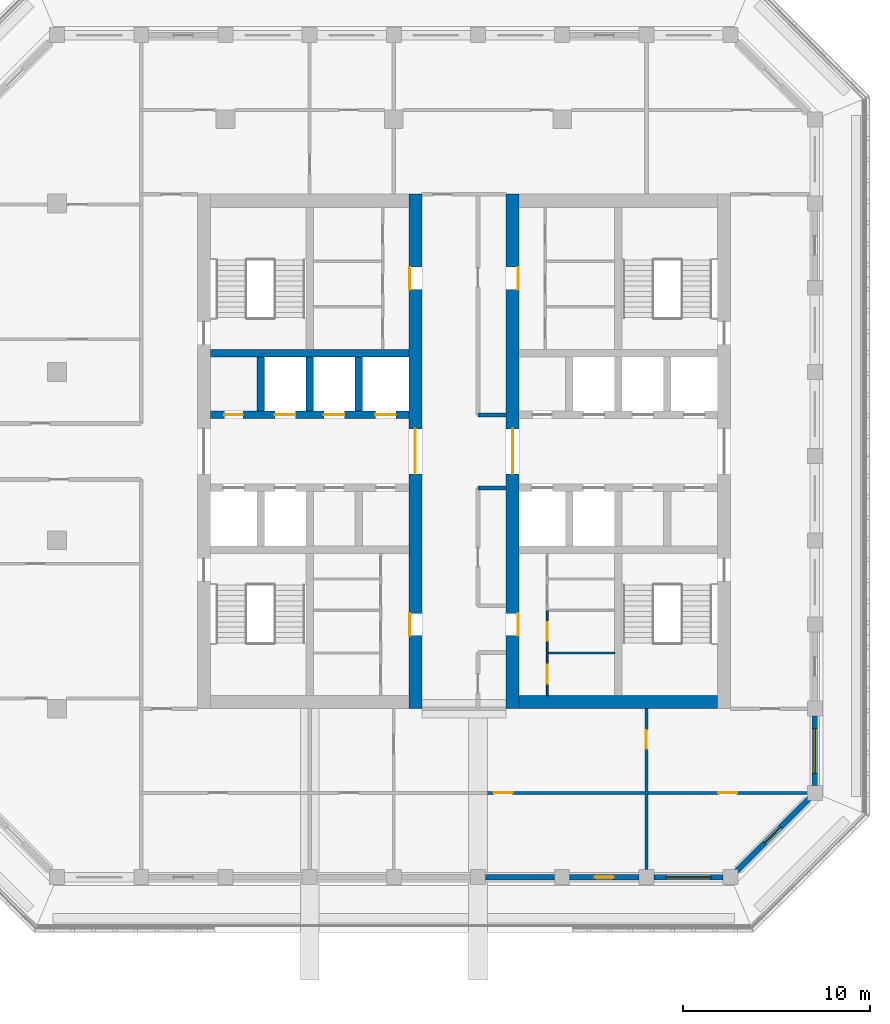
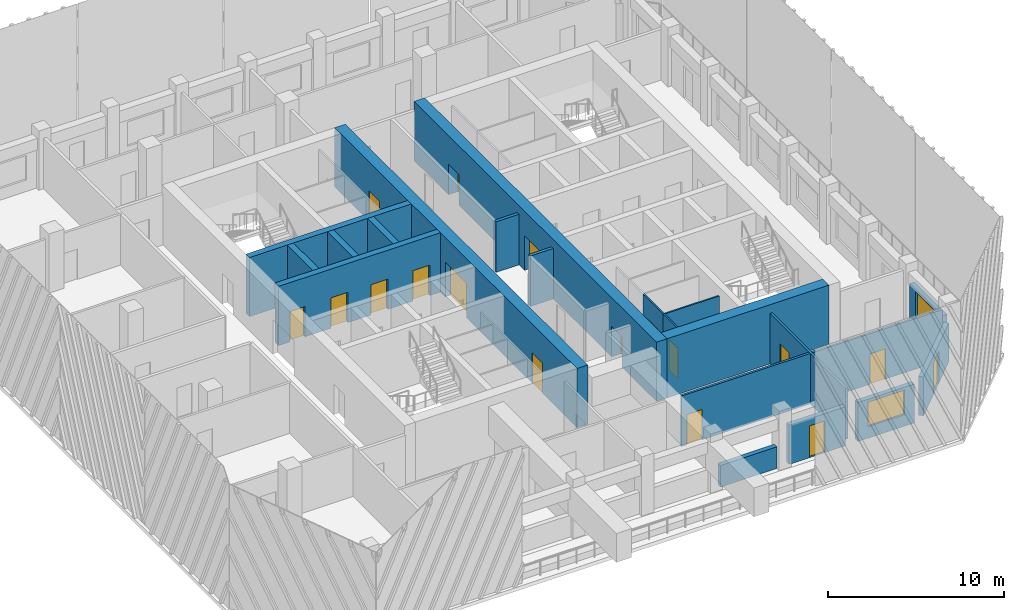
# One storey, part 4 of 16: 20 walls, 17 doors, 2 windows, 19 openings.
"""IFC4 building model written with IfcOpenShell, lengths in metres."""

from ifc_helpers import new_model, si_unit, direction, frame, frame_2d, origin, place, context, subcontext, project, spatial, rectangle, extrude, material, layer, layer_set, type_object, element, fill, save


model = new_model("IFC4")

# Units and contexts
model_context = context("Model", 3, precision=1e-05, world=origin(), true_north=direction((0.0, 1.0)))
body_context = subcontext(model_context, "Body", "Model", "MODEL_VIEW")
ifc_project = project(units=[si_unit("LENGTHUNIT", "METRE"), si_unit("AREAUNIT", "SQUARE_METRE"), si_unit("VOLUMEUNIT", "CUBIC_METRE"), si_unit("PLANEANGLEUNIT", "RADIAN"), si_unit("MASSUNIT", "GRAM", prefix="KILO")], contexts=[model_context])

# Site, building, storey
site_placement = place(None, origin())
site = spatial("IfcSite", under=ifc_project, at=site_placement, CompositionType="ELEMENT")
building_placement = place(site_placement, origin())
building = spatial("IfcBuilding", under=site, at=building_placement, Name="Corbel Stack Research Tower", CompositionType="ELEMENT")
storey_placement = place(building_placement, frame((0.0, 0.0, 290.89990234375)))
storey = spatial("IfcBuildingStorey", under=building, at=storey_placement, Name="L66", CompositionType="ELEMENT", Elevation=290.89990234375)

# Wall, openings, doors
ifc_material_1 = material(Name="Concrete C60/75", Category="concrete")
ifc_layer_1 = layer(ifc_material_1, 0.39990234375)
ifc_layer_set_1 = layer_set([ifc_layer_1], Name="Concrete C60/75")
wall_type_1 = type_object("IfcWallType", Name="CW-400-60", PredefinedType="SHEAR", material=ifc_layer_set_1)
wall_1_placement = place(storey_placement, frame((-9.800048828125, 6.699951171875, 0.0), z_axis=(0.0, 0.0, 1.0), x_axis=(1.0, 0.0, 0.0)))
wall_1 = element("IfcWall", 1, at=wall_1_placement, inside=storey, type_object=wall_type_1, Name="West core wall, lobby north L66", PredefinedType="SHEAR", context=body_context, shape_type="SweptSolid", body=[
    extrude(rectangle(XDim=10.60009765625, YDim=0.39990234375, at=frame_2d((5.300048828125, 0.0))), origin(), (0.0, 0.0, 1.0), 4.10009765625),
])
opening_1_placement = place(wall_1_placement, frame((3.4375, 0.0, 0.0)))
opening_1 = element("IfcOpeningElement", 2, at=opening_1_placement, cuts=wall_1, Name="Opening LD-HR1", PredefinedType="OPENING", context=body_context, shape_type="SweptSolid", body=[
    extrude(rectangle(XDim=1.10009765625, YDim=2.10009765625, at=frame_2d((0.550048828125, 1.050048828125))), frame((0.0, 0.2099609375, 0.0), z_axis=(0.0, -1.0, 0.0), x_axis=(1.0, 0.0, 0.0)), (0.0, 0.0, 1.0), 0.419921875),
])
opening_2_placement = place(wall_1_placement, frame((6.0625, 0.0, 0.0)))
opening_2 = element("IfcOpeningElement", 3, at=opening_2_placement, cuts=wall_1, Name="Opening LD-HR2", PredefinedType="OPENING", context=body_context, shape_type="SweptSolid", body=[
    extrude(rectangle(XDim=1.10009765625, YDim=2.10009765625, at=frame_2d((0.550048828125, 1.050048828125))), frame((0.0, 0.2099609375, 0.0), z_axis=(0.0, -1.0, 0.0), x_axis=(1.0, 0.0, 0.0)), (0.0, 0.0, 1.0), 0.419921875),
])
opening_3_placement = place(wall_1_placement, frame((8.8125, 0.0, 0.0)))
opening_3 = element("IfcOpeningElement", 4, at=opening_3_placement, cuts=wall_1, Name="Opening LD-HR3", PredefinedType="OPENING", context=body_context, shape_type="SweptSolid", body=[
    extrude(rectangle(XDim=1.10009765625, YDim=2.10009765625, at=frame_2d((0.550048828125, 1.050048828125))), frame((0.0, 0.2099609375, 0.0), z_axis=(0.0, -1.0, 0.0), x_axis=(1.0, 0.0, 0.0)), (0.0, 0.0, 1.0), 0.419921875),
])
opening_4_placement = place(wall_1_placement, frame((0.737548828125, 0.0, 0.0)))
opening_4 = element("IfcOpeningElement", 5, at=opening_4_placement, cuts=wall_1, Name="Opening CR-W42-N1", PredefinedType="OPENING", context=body_context, shape_type="SweptSolid", body=[
    extrude(rectangle(XDim=1.0, YDim=2.10009765625, at=frame_2d((0.5, 1.050048828125))), frame((0.0, 0.2099609375, 0.0), z_axis=(0.0, -1.0, 0.0), x_axis=(1.0, 0.0, 0.0)), (0.0, 0.0, 1.0), 0.419921875),
])
ifc_material_2 = material(Name="Stainless steel landing door", Category="steel")
door_type_1 = type_object("IfcDoorType", Name="Lift landing door 1100 x 2100", OperationType="DOUBLE_DOOR_SLIDING", PredefinedType="DOOR", material=ifc_material_2)
door_1_placement = place(opening_1_placement, origin())
door_1 = element("IfcDoor", 6, at=door_1_placement, inside=storey, type_object=door_type_1, Name="Landing door HR1", OperationType="DOUBLE_DOOR_SLIDING", OverallHeight=2.10009765625, OverallWidth=1.10009765625, PredefinedType="DOOR", context=body_context, shape_type="SweptSolid", body=[
    extrude(rectangle(XDim=1.10009765625, YDim=2.10009765625, at=frame_2d((0.550048828125, 1.050048828125))), frame((0.0, 0.02490234375, 0.0), z_axis=(0.0, -1.0, 0.0), x_axis=(1.0, 0.0, 0.0)), (0.0, 0.0, 1.0), 0.050048828125),
])
fill(opening_1, door_1)
door_2_placement = place(opening_2_placement, origin())
door_2 = element("IfcDoor", 7, at=door_2_placement, inside=storey, type_object=door_type_1, Name="Landing door HR2", OperationType="DOUBLE_DOOR_SLIDING", OverallHeight=2.10009765625, OverallWidth=1.10009765625, PredefinedType="DOOR", context=body_context, shape_type="SweptSolid", body=[
    extrude(rectangle(XDim=1.10009765625, YDim=2.10009765625, at=frame_2d((0.550048828125, 1.050048828125))), frame((0.0, 0.02490234375, 0.0), z_axis=(0.0, -1.0, 0.0), x_axis=(1.0, 0.0, 0.0)), (0.0, 0.0, 1.0), 0.050048828125),
])
fill(opening_2, door_2)
door_3_placement = place(opening_3_placement, origin())
door_3 = element("IfcDoor", 8, at=door_3_placement, inside=storey, type_object=door_type_1, Name="Landing door HR3", OperationType="DOUBLE_DOOR_SLIDING", OverallHeight=2.10009765625, OverallWidth=1.10009765625, PredefinedType="DOOR", context=body_context, shape_type="SweptSolid", body=[
    extrude(rectangle(XDim=1.10009765625, YDim=2.10009765625, at=frame_2d((0.550048828125, 1.050048828125))), frame((0.0, 0.02490234375, 0.0), z_axis=(0.0, -1.0, 0.0), x_axis=(1.0, 0.0, 0.0)), (0.0, 0.0, 1.0), 0.050048828125),
])
fill(opening_3, door_3)
ifc_material_3 = material(Name="Painted steel door", Category="steel")
door_type_2 = type_object("IfcDoorType", Name="Service door 1000 x 2100 FD60 left hand", OperationType="SINGLE_SWING_LEFT", PredefinedType="DOOR", material=ifc_material_3)
door_4_placement = place(opening_4_placement, origin())
door_4 = element("IfcDoor", 9, at=door_4_placement, inside=storey, type_object=door_type_2, Name="Vending bay door W core", OperationType="SINGLE_SWING_LEFT", OverallHeight=2.10009765625, OverallWidth=1.0, PredefinedType="DOOR", context=body_context, shape_type="SweptSolid", body=[
    extrude(rectangle(XDim=1.0, YDim=2.10009765625, at=frame_2d((0.5, 1.050048828125))), frame((0.0, 0.02490234375, 0.0), z_axis=(0.0, -1.0, 0.0), x_axis=(1.0, 0.0, 0.0)), (0.0, 0.0, 1.0), 0.050048828125),
])
fill(opening_4, door_4)

# Walls
wall_2_placement = place(storey_placement, frame((-9.800048828125, 10.0, 0.0), z_axis=(0.0, 0.0, 1.0), x_axis=(1.0, 0.0, 0.0)))
element("IfcWall", 10, at=wall_2_placement, inside=storey, type_object=wall_type_1, Name="West core wall, north row back L66", PredefinedType="SHEAR", context=body_context, shape_type="SweptSolid", body=[
    extrude(rectangle(XDim=10.60009765625, YDim=0.39990234375, at=frame_2d((5.300048828125, 0.0))), origin(), (0.0, 0.0, 1.0), 4.10009765625),
])
for number, where, z_axis, x_axis, name in (
    (11, (-7.125, 6.89990234375, 0.0), (0.0, 0.0, 1.0), (0.0, 1.0, 0.0), "West core wall, north shaft 1 L66"),
    (12, (-4.5, 6.89990234375, 0.0), (0.0, 0.0, 1.0), (0.0, 1.0, 0.0), "West core wall, north shaft 2 L66"),
    (13, (-1.875, 6.89990234375, 0.0), (0.0, 0.0, 1.0), (0.0, 1.0, 0.0), "West core wall, north shaft 3 L66"),
):
    element("IfcWall", number, at=place(storey_placement, frame(where, z_axis=z_axis, x_axis=x_axis)), inside=storey, type_object=wall_type_1, Name=name, PredefinedType="SHEAR", context=body_context, shape_type="SweptSolid", body=[
        extrude(rectangle(XDim=2.900146484375, YDim=0.39990234375, at=frame_2d((1.4501953125, 0.0))), origin(), (0.0, 0.0, 1.0), 4.10009765625),
    ])

# Wall, openings, doors
ifc_material_4 = material(Name="Concrete C60/75", Category="concrete")
ifc_layer_2 = layer(ifc_material_4, 0.699951171875)
ifc_layer_set_2 = layer_set([ifc_layer_2], Name="Concrete C60/75")
wall_type_2 = type_object("IfcWallType", Name="CW-700-60", PredefinedType="SHEAR", material=ifc_layer_set_2)
wall_3_placement = place(storey_placement, frame((1.14990234375, -9.0, 0.0), z_axis=(0.0, 0.0, 1.0), x_axis=(0.0, 1.0, 0.0)))
wall_3 = element("IfcWall", 14, at=wall_3_placement, inside=storey, type_object=wall_type_2, Name="West core wall, east face L66", PredefinedType="SHEAR", context=body_context, shape_type="SweptSolid", body=[
    extrude(rectangle(XDim=27.5, YDim=0.699951171875, at=frame_2d((13.75, 0.0))), origin(), (0.0, 0.0, 1.0), 4.10009765625),
])
opening_5_placement = place(wall_3_placement, frame((12.550048828125, 0.0, 0.0)))
opening_5 = element("IfcOpeningElement", 15, at=opening_5_placement, cuts=wall_3, Name="Opening CD-W-E", PredefinedType="OPENING", context=body_context, shape_type="SweptSolid", body=[
    extrude(rectangle(XDim=2.39990234375, YDim=2.39990234375, at=frame_2d((1.199951171875, 1.199951171875))), frame((0.0, 0.35986328125, 0.0), z_axis=(0.0, -1.0, 0.0), x_axis=(1.0, 0.0, 0.0)), (0.0, 0.0, 1.0), 0.719970703125),
])
opening_6_placement = place(wall_3_placement, frame((3.89990234375, 0.0, 0.0)))
opening_6 = element("IfcOpeningElement", 16, at=opening_6_placement, cuts=wall_3, Name="Opening CR-W42-W1-1200", PredefinedType="OPENING", context=body_context, shape_type="SweptSolid", body=[
    extrude(rectangle(XDim=1.199951171875, YDim=2.10009765625, at=frame_2d((0.60009765625, 1.050048828125))), frame((0.0, 0.35986328125, 0.0), z_axis=(0.0, -1.0, 0.0), x_axis=(1.0, 0.0, 0.0)), (0.0, 0.0, 1.0), 0.719970703125),
])
opening_7_placement = place(wall_3_placement, frame((22.39990234375, 0.0, 0.0)))
opening_7 = element("IfcOpeningElement", 17, at=opening_7_placement, cuts=wall_3, Name="Opening CR-W42-R1-1200", PredefinedType="OPENING", context=body_context, shape_type="SweptSolid", body=[
    extrude(rectangle(XDim=1.199951171875, YDim=2.10009765625, at=frame_2d((0.60009765625, 1.050048828125))), frame((0.0, 0.35986328125, 0.0), z_axis=(0.0, -1.0, 0.0), x_axis=(1.0, 0.0, 0.0)), (0.0, 0.0, 1.0), 0.719970703125),
])
ifc_material_5 = material(Name="Painted steel fire door", Category="steel")
door_type_3 = type_object("IfcDoorType", Name="Lobby door pair 2400 x 2400 FD30S", OperationType="DOUBLE_DOOR_DOUBLE_SWING", PredefinedType="DOOR", material=ifc_material_5)
door_5_placement = place(opening_5_placement, origin())
door_5 = element("IfcDoor", 18, at=door_5_placement, inside=storey, type_object=door_type_3, Name="Lift lobby door W core E", OperationType="DOUBLE_DOOR_DOUBLE_SWING", OverallHeight=2.39990234375, OverallWidth=2.39990234375, PredefinedType="DOOR", context=body_context, shape_type="SweptSolid", body=[
    extrude(rectangle(XDim=2.39990234375, YDim=2.39990234375, at=frame_2d((1.199951171875, 1.199951171875))), frame((0.0, 0.02490234375, 0.0), z_axis=(0.0, -1.0, 0.0), x_axis=(1.0, 0.0, 0.0)), (0.0, 0.0, 1.0), 0.050048828125),
])
fill(opening_5, door_5)
ifc_material_6 = material(Name="Painted steel door", Category="steel")
door_type_4 = type_object("IfcDoorType", Name="Service door 1200 x 2100 FD30 left hand", OperationType="SINGLE_SWING_LEFT", PredefinedType="DOOR", material=ifc_material_6)
door_6_placement = place(opening_7_placement, origin())
door_6 = element("IfcDoor", 19, at=door_6_placement, inside=storey, type_object=door_type_4, Name="Service passage door W core", OperationType="SINGLE_SWING_LEFT", OverallHeight=2.10009765625, OverallWidth=1.199951171875, PredefinedType="DOOR", context=body_context, shape_type="SweptSolid", body=[
    extrude(rectangle(XDim=1.199951171875, YDim=2.10009765625, at=frame_2d((0.60009765625, 1.050048828125))), frame((0.0, 0.3251953125, 0.0), z_axis=(0.0, -1.0, 0.0), x_axis=(1.0, 0.0, 0.0)), (0.0, 0.0, 1.0), 0.050048828125),
])
fill(opening_7, door_6)
ifc_material_7 = material(Name="Painted timber door", Category="wood")
door_type_5 = type_object("IfcDoorType", Name="WC door 1200 x 2100 left hand", OperationType="SINGLE_SWING_LEFT", PredefinedType="DOOR", material=ifc_material_7)
door_7_placement = place(opening_6_placement, origin())
door_7 = element("IfcDoor", 20, at=door_7_placement, inside=storey, type_object=door_type_5, Name="WC lobby door W core", OperationType="SINGLE_SWING_LEFT", OverallHeight=2.10009765625, OverallWidth=1.199951171875, PredefinedType="DOOR", context=body_context, shape_type="SweptSolid", body=[
    extrude(rectangle(XDim=1.199951171875, YDim=2.10009765625, at=frame_2d((0.60009765625, 1.050048828125))), frame((0.0, 0.3251953125, 0.0), z_axis=(0.0, -1.0, 0.0), x_axis=(1.0, 0.0, 0.0)), (0.0, 0.0, 1.0), 0.050048828125),
])
fill(opening_6, door_7)

wall_4_placement = place(storey_placement, frame((6.35009765625, -9.0, 0.0), z_axis=(0.0, 0.0, 1.0), x_axis=(0.0, 1.0, 0.0)))
wall_4 = element("IfcWall", 21, at=wall_4_placement, inside=storey, type_object=wall_type_2, Name="East core wall, west face L66", PredefinedType="SHEAR", context=body_context, shape_type="SweptSolid", body=[
    extrude(rectangle(XDim=27.5, YDim=0.699951171875, at=frame_2d((13.75, 0.0))), origin(), (0.0, 0.0, 1.0), 4.10009765625),
])
opening_8_placement = place(wall_4_placement, frame((12.550048828125, 0.0, 0.0)))
opening_8 = element("IfcOpeningElement", 22, at=opening_8_placement, cuts=wall_4, Name="Opening CD-E-W", PredefinedType="OPENING", context=body_context, shape_type="SweptSolid", body=[
    extrude(rectangle(XDim=2.39990234375, YDim=2.39990234375, at=frame_2d((1.199951171875, 1.199951171875))), frame((0.0, 0.35986328125, 0.0), z_axis=(0.0, -1.0, 0.0), x_axis=(1.0, 0.0, 0.0)), (0.0, 0.0, 1.0), 0.719970703125),
])
opening_9_placement = place(wall_4_placement, frame((3.89990234375, 0.0, 0.0)))
opening_9 = element("IfcOpeningElement", 23, at=opening_9_placement, cuts=wall_4, Name="Opening CR-E42-W1-1200", PredefinedType="OPENING", context=body_context, shape_type="SweptSolid", body=[
    extrude(rectangle(XDim=1.199951171875, YDim=2.10009765625, at=frame_2d((0.60009765625, 1.050048828125))), frame((0.0, 0.35986328125, 0.0), z_axis=(0.0, -1.0, 0.0), x_axis=(1.0, 0.0, 0.0)), (0.0, 0.0, 1.0), 0.719970703125),
])
opening_10_placement = place(wall_4_placement, frame((22.39990234375, 0.0, 0.0)))
opening_10 = element("IfcOpeningElement", 24, at=opening_10_placement, cuts=wall_4, Name="Opening CR-E42-R1-1200", PredefinedType="OPENING", context=body_context, shape_type="SweptSolid", body=[
    extrude(rectangle(XDim=1.199951171875, YDim=2.10009765625, at=frame_2d((0.60009765625, 1.050048828125))), frame((0.0, 0.35986328125, 0.0), z_axis=(0.0, -1.0, 0.0), x_axis=(1.0, 0.0, 0.0)), (0.0, 0.0, 1.0), 0.719970703125),
])
door_8_placement = place(opening_8_placement, origin())
door_8 = element("IfcDoor", 25, at=door_8_placement, inside=storey, type_object=door_type_3, Name="Lift lobby door E core W", OperationType="DOUBLE_DOOR_DOUBLE_SWING", OverallHeight=2.39990234375, OverallWidth=2.39990234375, PredefinedType="DOOR", context=body_context, shape_type="SweptSolid", body=[
    extrude(rectangle(XDim=2.39990234375, YDim=2.39990234375, at=frame_2d((1.199951171875, 1.199951171875))), frame((0.0, 0.02490234375, 0.0), z_axis=(0.0, -1.0, 0.0), x_axis=(1.0, 0.0, 0.0)), (0.0, 0.0, 1.0), 0.050048828125),
])
fill(opening_8, door_8)
ifc_material_8 = material(Name="Painted steel door", Category="steel")
door_type_6 = type_object("IfcDoorType", Name="Service door 1200 x 2100 FD30 right hand", OperationType="SINGLE_SWING_RIGHT", PredefinedType="DOOR", material=ifc_material_8)
door_9_placement = place(opening_10_placement, origin())
door_9 = element("IfcDoor", 26, at=door_9_placement, inside=storey, type_object=door_type_6, Name="Service passage door E core", OperationType="SINGLE_SWING_RIGHT", OverallHeight=2.10009765625, OverallWidth=1.199951171875, PredefinedType="DOOR", context=body_context, shape_type="SweptSolid", body=[
    extrude(rectangle(XDim=1.199951171875, YDim=2.10009765625, at=frame_2d((0.60009765625, 1.050048828125))), frame((0.0, -0.27490234375, 0.0), z_axis=(0.0, -1.0, 0.0), x_axis=(1.0, 0.0, 0.0)), (0.0, 0.0, 1.0), 0.050048828125),
])
fill(opening_10, door_9)
ifc_material_9 = material(Name="Painted timber door", Category="wood")
door_type_7 = type_object("IfcDoorType", Name="WC door 1200 x 2100 right hand", OperationType="SINGLE_SWING_RIGHT", PredefinedType="DOOR", material=ifc_material_9)
door_10_placement = place(opening_9_placement, origin())
door_10 = element("IfcDoor", 27, at=door_10_placement, inside=storey, type_object=door_type_7, Name="WC lobby door E core", OperationType="SINGLE_SWING_RIGHT", OverallHeight=2.10009765625, OverallWidth=1.199951171875, PredefinedType="DOOR", context=body_context, shape_type="SweptSolid", body=[
    extrude(rectangle(XDim=1.199951171875, YDim=2.10009765625, at=frame_2d((0.60009765625, 1.050048828125))), frame((0.0, -0.27490234375, 0.0), z_axis=(0.0, -1.0, 0.0), x_axis=(1.0, 0.0, 0.0)), (0.0, 0.0, 1.0), 0.050048828125),
])
fill(opening_9, door_10)

# Wall
wall_5_placement = place(storey_placement, frame((6.699951171875, -8.64990234375, 0.0), z_axis=(0.0, 0.0, 1.0), x_axis=(1.0, 0.0, 0.0)))
element("IfcWall", 28, at=wall_5_placement, inside=storey, type_object=wall_type_2, Name="East core wall, south end L66", PredefinedType="SHEAR", context=body_context, shape_type="SweptSolid", body=[
    extrude(rectangle(XDim=10.60009765625, YDim=0.699951171875, at=frame_2d((5.300048828125, 0.0))), origin(), (0.0, 0.0, 1.0), 4.10009765625),
])

# Wall, opening, door
ifc_material_10 = material(Name="Gypsum board")
ifc_layer_3 = layer(ifc_material_10, 0.10009765625)
ifc_layer_set_3 = layer_set([ifc_layer_3], Name="Gypsum board")
wall_type_3 = type_object("IfcWallType", Name="Core partition 100", PredefinedType="PARTITIONING", material=ifc_layer_set_3)
wall_6_placement = place(storey_placement, frame((8.199951171875, -8.300048828125, 0.0), z_axis=(0.0, 0.0, 1.0), x_axis=(0.0, 1.0, 0.0)))
wall_6 = element("IfcWall", 29, at=wall_6_placement, inside=storey, type_object=wall_type_3, Name="Core partition E", PredefinedType="PARTITIONING", context=body_context, shape_type="SweptSolid", body=[
    extrude(rectangle(XDim=2.280029296875, YDim=0.10009765625, at=frame_2d((1.14013671875, 0.0))), origin(), (0.0, 0.0, 1.0), 3.5),
])
opening_11_placement = place(wall_6_placement, frame((0.639892578125, 0.0, 0.0)))
opening_11 = element("IfcOpeningElement", 30, at=opening_11_placement, cuts=wall_6, Name="Opening CR-E42-W2-1000", PredefinedType="OPENING", context=body_context, shape_type="SweptSolid", body=[
    extrude(rectangle(XDim=1.0, YDim=2.10009765625, at=frame_2d((0.5, 1.050048828125))), frame((0.0, 0.06005859375, 0.0), z_axis=(0.0, -1.0, 0.0), x_axis=(1.0, 0.0, 0.0)), (0.0, 0.0, 1.0), 0.1201171875),
])
ifc_material_11 = material(Name="Painted timber door", Category="wood")
door_type_8 = type_object("IfcDoorType", Name="WC door 1000 x 2100 left hand", OperationType="SINGLE_SWING_LEFT", PredefinedType="DOOR", material=ifc_material_11)
door_11_placement = place(opening_11_placement, origin())
door_11 = element("IfcDoor", 31, at=door_11_placement, inside=storey, type_object=door_type_8, Name="Men's WC door E core", OperationType="SINGLE_SWING_LEFT", OverallHeight=2.10009765625, OverallWidth=1.0, PredefinedType="DOOR", context=body_context, shape_type="SweptSolid", body=[
    extrude(rectangle(XDim=1.0, YDim=2.10009765625, at=frame_2d((0.5, 1.050048828125))), frame((0.0, 0.02490234375, 0.0), z_axis=(0.0, -1.0, 0.0), x_axis=(1.0, 0.0, 0.0)), (0.0, 0.0, 1.0), 0.050048828125),
])
fill(opening_11, door_11)

wall_7_placement = place(storey_placement, frame((8.199951171875, -6.02001953125, 0.0), z_axis=(0.0, 0.0, 1.0), x_axis=(0.0, 1.0, 0.0)))
wall_7 = element("IfcWall", 32, at=wall_7_placement, inside=storey, type_object=wall_type_3, Name="Core partition E", PredefinedType="PARTITIONING", context=body_context, shape_type="SweptSolid", body=[
    extrude(rectangle(XDim=2.280029296875, YDim=0.10009765625, at=frame_2d((1.14013671875, 0.0))), origin(), (0.0, 0.0, 1.0), 3.5),
])
opening_12_placement = place(wall_7_placement, frame((0.639892578125, 0.0, 0.0)))
opening_12 = element("IfcOpeningElement", 33, at=opening_12_placement, cuts=wall_7, Name="Opening CR-E42-W3-1000", PredefinedType="OPENING", context=body_context, shape_type="SweptSolid", body=[
    extrude(rectangle(XDim=1.0, YDim=2.10009765625, at=frame_2d((0.5, 1.050048828125))), frame((0.0, 0.06005859375, 0.0), z_axis=(0.0, -1.0, 0.0), x_axis=(1.0, 0.0, 0.0)), (0.0, 0.0, 1.0), 0.1201171875),
])
ifc_material_12 = material(Name="Painted timber door", Category="wood")
door_type_9 = type_object("IfcDoorType", Name="WC door 1000 x 2100 right hand", OperationType="SINGLE_SWING_RIGHT", PredefinedType="DOOR", material=ifc_material_12)
door_12_placement = place(opening_12_placement, origin())
door_12 = element("IfcDoor", 34, at=door_12_placement, inside=storey, type_object=door_type_9, Name="Women's WC door E core", OperationType="SINGLE_SWING_RIGHT", OverallHeight=2.10009765625, OverallWidth=1.0, PredefinedType="DOOR", context=body_context, shape_type="SweptSolid", body=[
    extrude(rectangle(XDim=1.0, YDim=2.10009765625, at=frame_2d((0.5, 1.050048828125))), frame((0.0, 0.02490234375, 0.0), z_axis=(0.0, -1.0, 0.0), x_axis=(1.0, 0.0, 0.0)), (0.0, 0.0, 1.0), 0.050048828125),
])
fill(opening_12, door_12)

# Wall
wall_8_placement = place(storey_placement, frame((8.199951171875, -6.02001953125, 0.0), z_axis=(0.0, 0.0, 1.0), x_axis=(1.0, 0.0, 0.0)))
element("IfcWall", 35, at=wall_8_placement, inside=storey, type_object=wall_type_3, Name="Core partition E", PredefinedType="PARTITIONING", context=body_context, shape_type="SweptSolid", body=[
    extrude(rectangle(XDim=3.60009765625, YDim=0.10009765625, at=frame_2d((1.800048828125, 0.0))), origin(), (0.0, 0.0, 1.0), 3.5),
])

# Wall, opening, door
ifc_material_13 = material(Name="Fire-rated gypsum board partition on steel studs", Category="steel")
ifc_layer_4 = layer(ifc_material_13, 0.14990234375)
ifc_layer_set_4 = layer_set([ifc_layer_4], Name="Fire-rated gypsum board partition on steel studs")
wall_type_4 = type_object("IfcWallType", Name="Fire-rated partition 150 EI 60", PredefinedType="PARTITIONING", material=ifc_layer_set_4)
wall_9_placement = place(storey_placement, frame((13.5, -17.60009765625, 0.0), z_axis=(0.0, 0.0, 1.0), x_axis=(0.0, 1.0, 0.0)))
wall_9 = element("IfcWall", 36, at=wall_9_placement, inside=storey, type_object=wall_type_4, Name="Partition L66-012", PredefinedType="PARTITIONING", context=body_context, shape_type="SweptSolid", body=[
    extrude(rectangle(XDim=8.60009765625, YDim=0.14990234375, at=frame_2d((4.300048828125, 0.0))), origin(), (0.0, 0.0, 1.0), 3.5),
])
opening_13_placement = place(wall_9_placement, frame((6.449951171875, 0.0, 0.0)))
opening_13 = element("IfcOpeningElement", 37, at=opening_13_placement, cuts=wall_9, Name="Opening B8V2P-017", PredefinedType="OPENING", context=body_context, shape_type="SweptSolid", body=[
    extrude(rectangle(XDim=1.0, YDim=2.10009765625, at=frame_2d((0.5, 1.050048828125))), frame((0.0, 0.0849609375, 0.0), z_axis=(0.0, -1.0, 0.0), x_axis=(1.0, 0.0, 0.0)), (0.0, 0.0, 1.0), 0.169921875),
])
ifc_material_14 = material(Name="Painted steel fire door", Category="steel")
door_type_10 = type_object("IfcDoorType", Name="Fire door FD30S 1000 x 2100", OperationType="NOTDEFINED", PredefinedType="DOOR", material=ifc_material_14)
door_13_placement = place(opening_13_placement, origin())
door_13 = element("IfcDoor", 38, at=door_13_placement, inside=storey, type_object=door_type_10, Name="Door B8V2P-017", OperationType="SINGLE_SWING_RIGHT", OverallHeight=2.10009765625, OverallWidth=1.0, PredefinedType="DOOR", context=body_context, shape_type="SweptSolid", body=[
    extrude(rectangle(XDim=1.0, YDim=2.10009765625, at=frame_2d((0.5, 1.050048828125))), frame((0.0, 0.02490234375, 0.0), z_axis=(0.0, -1.0, 0.0), x_axis=(1.0, 0.0, 0.0)), (0.0, 0.0, 1.0), 0.050048828125),
])
fill(opening_13, door_13)

# Walls
ifc_material_15 = material(Name="Fire-rated gypsum board partition on steel studs", Category="steel")
ifc_layer_5 = layer(ifc_material_15, 0.199951171875)
ifc_layer_set_5 = layer_set([ifc_layer_5], Name="Fire-rated gypsum board partition on steel studs")
wall_type_5 = type_object("IfcWallType", Name="Fire-rated partition 200 EI 60", PredefinedType="PARTITIONING", material=ifc_layer_set_5)
for number, where, z_axis, x_axis, name in (
    (39, (4.5, 2.800048828125, 0.0), (0.0, 0.0, 1.0), (1.0, 0.0, 0.0), "Partition L66-027"),
    (40, (4.5, 6.699951171875, 0.0), (0.0, 0.0, 1.0), (1.0, 0.0, 0.0), "Partition L66-030"),
):
    element("IfcWall", number, at=place(storey_placement, frame(where, z_axis=z_axis, x_axis=x_axis)), inside=storey, type_object=wall_type_5, Name=name, PredefinedType="PARTITIONING", context=body_context, shape_type="SweptSolid", body=[
        extrude(rectangle(XDim=1.5, YDim=0.199951171875, at=frame_2d((0.75, 0.0))), origin(), (0.0, 0.0, 1.0), 3.5),
    ])

# Wall, openings, doors
ifc_material_16 = material(Name="Gypsum board partition on steel studs", Category="steel")
ifc_layer_6 = layer(ifc_material_16, 0.14990234375)
ifc_layer_set_6 = layer_set([ifc_layer_6], Name="Gypsum board partition on steel studs")
wall_type_6 = type_object("IfcWallType", Name="Partition 150", PredefinedType="PARTITIONING", material=ifc_layer_set_6)
wall_10_placement = place(storey_placement, frame((22.0771484375, -13.5, 0.0), z_axis=(0.0, 0.0, 1.0), x_axis=(-1.0, 0.0, 0.0)))
wall_10 = element("IfcWall", 41, at=wall_10_placement, inside=storey, type_object=wall_type_6, Name="Partition L66-018", PredefinedType="PARTITIONING", context=body_context, shape_type="SweptSolid", body=[
    extrude(rectangle(XDim=17.0771484375, YDim=0.14990234375, at=frame_2d((8.53857421875, 0.0))), origin(), (0.0, 0.0, 1.0), 3.5),
])
opening_14_placement = place(wall_10_placement, frame((15.727294921875, 0.0, 0.0)))
opening_14 = element("IfcOpeningElement", 42, at=opening_14_placement, cuts=wall_10, Name="Opening B8V2P-003", PredefinedType="OPENING", context=body_context, shape_type="SweptSolid", body=[
    extrude(rectangle(XDim=1.0, YDim=2.10009765625, at=frame_2d((0.5, 1.050048828125))), frame((0.0, 0.0849609375, 0.0), z_axis=(0.0, -1.0, 0.0), x_axis=(1.0, 0.0, 0.0)), (0.0, 0.0, 1.0), 0.169921875),
])
opening_15_placement = place(wall_10_placement, frame((3.727294921875, 0.0, 0.0)))
opening_15 = element("IfcOpeningElement", 43, at=opening_15_placement, cuts=wall_10, Name="Opening B8V2P-004", PredefinedType="OPENING", context=body_context, shape_type="SweptSolid", body=[
    extrude(rectangle(XDim=1.0, YDim=2.10009765625, at=frame_2d((0.5, 1.050048828125))), frame((0.0, 0.0849609375, 0.0), z_axis=(0.0, -1.0, 0.0), x_axis=(1.0, 0.0, 0.0)), (0.0, 0.0, 1.0), 0.169921875),
])
ifc_material_17 = material(Name="Painted timber door", Category="wood")
door_type_11 = type_object("IfcDoorType", Name="Single door 1000 x 2100", OperationType="NOTDEFINED", PredefinedType="DOOR", material=ifc_material_17)
door_14_placement = place(opening_14_placement, origin())
door_14 = element("IfcDoor", 44, at=door_14_placement, inside=storey, type_object=door_type_11, Name="Door B8V2P-003", OperationType="SINGLE_SWING_RIGHT", OverallHeight=2.10009765625, OverallWidth=1.0, PredefinedType="DOOR", context=body_context, shape_type="SweptSolid", body=[
    extrude(rectangle(XDim=1.0, YDim=2.10009765625, at=frame_2d((0.5, 1.050048828125))), frame((0.0, 0.02490234375, 0.0), z_axis=(0.0, -1.0, 0.0), x_axis=(1.0, 0.0, 0.0)), (0.0, 0.0, 1.0), 0.050048828125),
])
fill(opening_14, door_14)
door_15_placement = place(opening_15_placement, origin())
door_15 = element("IfcDoor", 45, at=door_15_placement, inside=storey, type_object=door_type_11, Name="Door B8V2P-004", OperationType="SINGLE_SWING_LEFT", OverallHeight=2.10009765625, OverallWidth=1.0, PredefinedType="DOOR", context=body_context, shape_type="SweptSolid", body=[
    extrude(rectangle(XDim=1.0, YDim=2.10009765625, at=frame_2d((0.5, 1.050048828125))), frame((0.0, 0.02490234375, 0.0), z_axis=(0.0, -1.0, 0.0), x_axis=(1.0, 0.0, 0.0)), (0.0, 0.0, 1.0), 0.050048828125),
])
fill(opening_15, door_15)

# Wall
ifc_material_18 = material(Name="Concrete C45/55", Category="concrete")
ifc_layer_7 = layer(ifc_material_18, 0.300048828125)
ifc_layer_set_7 = layer_set([ifc_layer_7], Name="Concrete C45/55")
wall_type_7 = type_object("IfcWallType", Name="Terracotta-faced concrete wall 300", PredefinedType="SOLIDWALL", material=ifc_layer_set_7)
wall_11_placement = place(storey_placement, frame((8.60009765625, -18.0, 0.0), z_axis=(0.0, 0.0, 1.0), x_axis=(-1.0, 0.0, 0.0)))
element("IfcWall", 46, at=wall_11_placement, inside=storey, type_object=wall_type_7, Name="Facade wall L66 S06", PredefinedType="SOLIDWALL", context=body_context, shape_type="SweptSolid", body=[
    extrude(rectangle(XDim=3.7001953125, YDim=0.300048828125, at=frame_2d((1.85009765625, 0.0))), origin(), (0.0, 0.0, 1.0), 1.5),
])

# Wall, opening, door
wall_12_placement = place(storey_placement, frame((13.10009765625, -18.0, 0.0), z_axis=(0.0, 0.0, 1.0), x_axis=(-1.0, 0.0, 0.0)))
wall_12 = element("IfcWall", 47, at=wall_12_placement, inside=storey, type_object=wall_type_7, Name="Facade wall L66 S07", PredefinedType="SOLIDWALL", context=body_context, shape_type="SweptSolid", body=[
    extrude(rectangle(XDim=3.7001953125, YDim=0.300048828125, at=frame_2d((1.85009765625, 0.0))), origin(), (0.0, 0.0, 1.0), 2.7001953125),
])
opening_16_placement = place(wall_12_placement, frame((1.35009765625, 0.0, 0.0)))
opening_16 = element("IfcOpeningElement", 48, at=opening_16_placement, cuts=wall_12, Name="Opening L66-B02", PredefinedType="OPENING", context=body_context, shape_type="SweptSolid", body=[
    extrude(rectangle(XDim=1.0, YDim=2.199951171875, at=frame_2d((0.5, 1.10009765625))), frame((0.0, 0.159912109375, 0.0), z_axis=(0.0, -1.0, 0.0), x_axis=(1.0, 0.0, 0.0)), (0.0, 0.0, 1.0), 0.320068359375),
])
ifc_material_19 = material(Name="Aluminium frame, clear double glazing", Category="aluminium")
door_type_12 = type_object("IfcDoorType", Name="Balcony door BD1 1000 x 2200", OperationType="NOTDEFINED", PredefinedType="DOOR", material=ifc_material_19)
door_16_placement = place(opening_16_placement, origin())
door_16 = element("IfcDoor", 49, at=door_16_placement, inside=storey, type_object=door_type_12, Name="Balcony door L66-B02", OperationType="SINGLE_SWING_LEFT", OverallHeight=2.199951171875, OverallWidth=1.0, PredefinedType="DOOR", context=body_context, shape_type="SweptSolid", body=[
    extrude(rectangle(XDim=1.0, YDim=2.199951171875, at=frame_2d((0.5, 1.10009765625))), frame((0.0, 0.02490234375, 0.0), z_axis=(0.0, -1.0, 0.0), x_axis=(1.0, 0.0, 0.0)), (0.0, 0.0, 1.0), 0.050048828125),
])
fill(opening_16, door_16)

# Wall, opening, window
wall_13_placement = place(storey_placement, frame((17.60009765625, -18.0, 0.0), z_axis=(0.0, 0.0, 1.0), x_axis=(-1.0, 0.0, 0.0)))
wall_13 = element("IfcWall", 50, at=wall_13_placement, inside=storey, type_object=wall_type_7, Name="Facade wall L66 S08", PredefinedType="SOLIDWALL", context=body_context, shape_type="SweptSolid", body=[
    extrude(rectangle(XDim=3.7001953125, YDim=0.300048828125, at=frame_2d((1.85009765625, 0.0))), origin(), (0.0, 0.0, 1.0), 2.7001953125),
])
opening_17_placement = place(wall_13_placement, frame((0.64990234375, 0.0, 0.800048828125)))
opening_17 = element("IfcOpeningElement", 51, at=opening_17_placement, cuts=wall_13, Name="Opening W1", PredefinedType="OPENING", context=body_context, shape_type="SweptSolid", body=[
    extrude(rectangle(XDim=2.39990234375, YDim=1.699951171875, at=frame_2d((1.199951171875, 0.85009765625))), frame((0.0, 0.159912109375, 0.0), z_axis=(0.0, -1.0, 0.0), x_axis=(1.0, 0.0, 0.0)), (0.0, 0.0, 1.0), 0.320068359375),
])
ifc_material_20 = material(Name="Aluminium frame, clear double glazing", Category="aluminium")
window_type = type_object("IfcWindowType", Name="Window W1 2400 x 1700", PartitioningType="SINGLE_PANEL", PredefinedType="WINDOW", material=ifc_material_20)
window_1_placement = place(opening_17_placement, origin())
window_1 = element("IfcWindow", 52, at=window_1_placement, inside=storey, type_object=window_type, Name="Window W1 L66 S08", OverallHeight=1.699951171875, OverallWidth=2.39990234375, PartitioningType="SINGLE_PANEL", PredefinedType="WINDOW", context=body_context, shape_type="SweptSolid", body=[
    extrude(rectangle(XDim=2.39990234375, YDim=1.699951171875, at=frame_2d((1.199951171875, 0.85009765625))), frame((0.0, 0.030029296875, 0.0), z_axis=(0.0, -1.0, 0.0), x_axis=(1.0, 0.0, 0.0)), (0.0, 0.0, 1.0), 0.06005859375),
])
fill(opening_17, window_1)

# Wall, opening, door
wall_14_placement = place(storey_placement, frame((22.2060546875, -13.7939453125, 0.0), z_axis=(0.0, 0.0, 1.0), x_axis=(-0.707106781187, -0.707106781187, 0.0)))
wall_14 = element("IfcWall", 53, at=wall_14_placement, inside=storey, type_object=wall_type_7, Name="Facade wall L66 SE01", PredefinedType="SOLIDWALL", context=body_context, shape_type="SweptSolid", body=[
    extrude(rectangle(XDim=5.532470703125, YDim=0.300048828125, at=frame_2d((2.76611328125, 0.0))), origin(), (0.0, 0.0, 1.0), 2.7001953125),
])
opening_18_placement = place(wall_14_placement, frame((2.166259765625, 0.0, 0.0)))
opening_18 = element("IfcOpeningElement", 54, at=opening_18_placement, cuts=wall_14, Name="Opening L66-B03", PredefinedType="OPENING", context=body_context, shape_type="SweptSolid", body=[
    extrude(rectangle(XDim=1.199951171875, YDim=2.199951171875, at=frame_2d((0.60009765625, 1.10009765625))), frame((0.0, 0.159912109375, 0.0), z_axis=(0.0, -1.0, 0.0), x_axis=(1.0, 0.0, 0.0)), (0.0, 0.0, 1.0), 0.320068359375),
])
ifc_material_21 = material(Name="Aluminium frame, clear double glazing", Category="aluminium")
door_type_13 = type_object("IfcDoorType", Name="Balcony door BD2 1200 x 2200", OperationType="NOTDEFINED", PredefinedType="DOOR", material=ifc_material_21)
door_17_placement = place(opening_18_placement, origin())
door_17 = element("IfcDoor", 55, at=door_17_placement, inside=storey, type_object=door_type_13, Name="Balcony door L66-B03", OperationType="SINGLE_SWING_LEFT", OverallHeight=2.199951171875, OverallWidth=1.199951171875, PredefinedType="DOOR", context=body_context, shape_type="SweptSolid", body=[
    extrude(rectangle(XDim=1.199951171875, YDim=2.199951171875, at=frame_2d((0.60009765625, 1.10009765625))), frame((0.0, 0.02490234375, 0.0), z_axis=(0.0, -1.0, 0.0), x_axis=(1.0, 0.0, 0.0)), (0.0, 0.0, 1.0), 0.050048828125),
])
fill(opening_18, door_17)

# Wall, opening, window
wall_15_placement = place(storey_placement, frame((22.5, -9.39990234375, 0.0), z_axis=(0.0, 0.0, 1.0), x_axis=(0.0, -1.0, 0.0)))
wall_15 = element("IfcWall", 56, at=wall_15_placement, inside=storey, type_object=wall_type_7, Name="Facade wall L66 E01", PredefinedType="SOLIDWALL", context=body_context, shape_type="SweptSolid", body=[
    extrude(rectangle(XDim=3.7001953125, YDim=0.300048828125, at=frame_2d((1.85009765625, 0.0))), origin(), (0.0, 0.0, 1.0), 2.7001953125),
])
opening_19_placement = place(wall_15_placement, frame((0.64990234375, 0.0, 0.800048828125)))
opening_19 = element("IfcOpeningElement", 57, at=opening_19_placement, cuts=wall_15, Name="Opening W1", PredefinedType="OPENING", context=body_context, shape_type="SweptSolid", body=[
    extrude(rectangle(XDim=2.39990234375, YDim=1.699951171875, at=frame_2d((1.199951171875, 0.85009765625))), frame((0.0, 0.159912109375, 0.0), z_axis=(0.0, -1.0, 0.0), x_axis=(1.0, 0.0, 0.0)), (0.0, 0.0, 1.0), 0.320068359375),
])
window_2_placement = place(opening_19_placement, origin())
window_2 = element("IfcWindow", 58, at=window_2_placement, inside=storey, type_object=window_type, Name="Window W1 L66 E01", OverallHeight=1.699951171875, OverallWidth=2.39990234375, PartitioningType="SINGLE_PANEL", PredefinedType="WINDOW", context=body_context, shape_type="SweptSolid", body=[
    extrude(rectangle(XDim=2.39990234375, YDim=1.699951171875, at=frame_2d((1.199951171875, 0.85009765625))), frame((0.0, 0.030029296875, 0.0), z_axis=(0.0, -1.0, 0.0), x_axis=(1.0, 0.0, 0.0)), (0.0, 0.0, 1.0), 0.06005859375),
])
fill(opening_19, window_2)

save(model, "model.ifc")
